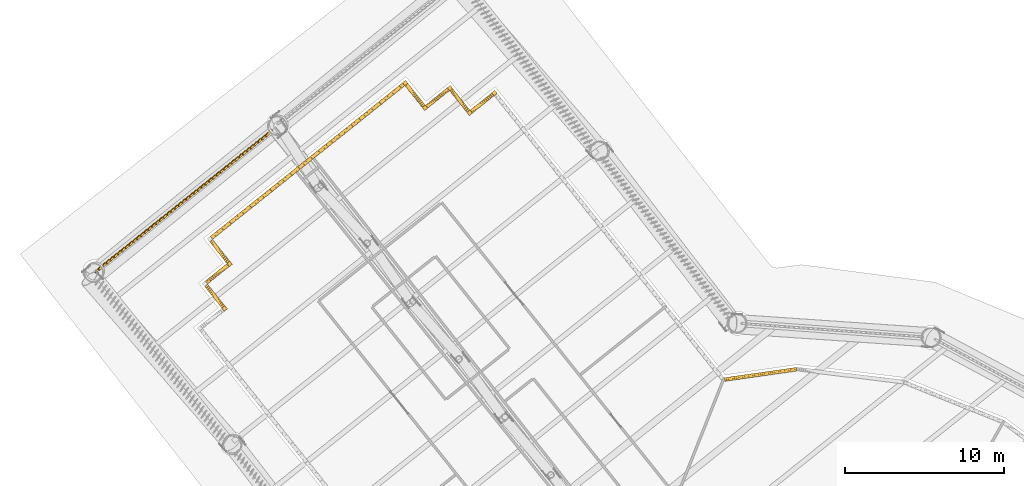
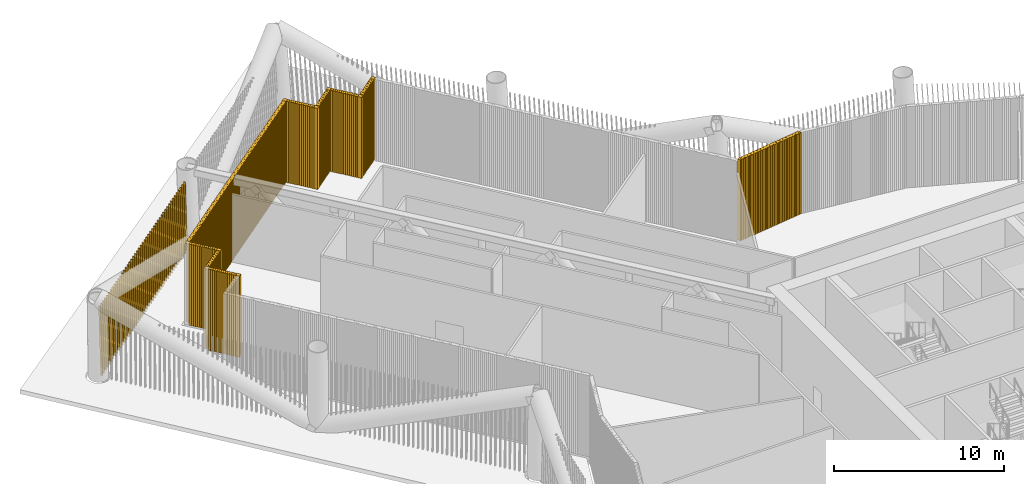
# One storey, part 45 of 48: 17 shading devices.
"""IFC4 building model written with IfcOpenShell, lengths in metres."""

from ifc_helpers import new_model, si_unit, direction, frame, frame_2d, origin, origin_2d, place, context, subcontext, project, spatial, rectangle, composite_profile, extrude, material, type_object, element, save


model = new_model("IFC4")

# Units and contexts
model_context = context("Model", 3, precision=1e-05, world=origin(), true_north=direction((0.0, 1.0)))
body_context = subcontext(model_context, "Body", "Model", "MODEL_VIEW")
ifc_project = project(units=[si_unit("LENGTHUNIT", "METRE"), si_unit("AREAUNIT", "SQUARE_METRE"), si_unit("VOLUMEUNIT", "CUBIC_METRE"), si_unit("PLANEANGLEUNIT", "RADIAN"), si_unit("MASSUNIT", "GRAM", prefix="KILO")], contexts=[model_context])

# Site, building, storey
site_placement = place(None, origin())
site = spatial("IfcSite", under=ifc_project, at=site_placement, CompositionType="ELEMENT")
building_placement = place(site_placement, origin())
building = spatial("IfcBuilding", under=site, at=building_placement, Name="Tarsis Ring Headquarters", CompositionType="ELEMENT")
storey_placement = place(building_placement, frame((0.0, 0.0, 34.0)))
storey = spatial("IfcBuildingStorey", under=building, at=storey_placement, Name="L06", CompositionType="ELEMENT", Elevation=34.0)

# Shading devices
ifc_material_1 = material(Name="Aluminium louvre", Category="aluminium")
shading_device_type_1 = type_object("IfcShadingDeviceType", Name="Plant louvre fin", PredefinedType="USERDEFINED", material=ifc_material_1)
shading_device_1_placement = place(storey_placement, frame((-0.287353515625, 25.8701171875, 0.0), z_axis=(0.0, 0.0, 1.0), x_axis=(-0.990007401925, -0.140900919953, 0.0)))
element("IfcShadingDevice", 1, at=shading_device_1_placement, inside=storey, type_object=shading_device_type_1, Name="Louvre L06-30", ObjectType="Louvre", PredefinedType="USERDEFINED", context=body_context, shape_type="SweptSolid", body=[
    extrude(composite_profile([rectangle(XDim=0.1201171875, YDim=0.239990234375, at=frame_2d((0.076171875, 0.0), x_axis=(0.990268068742, 0.13917310096))), rectangle(XDim=0.1201171875, YDim=0.239990234375, at=frame_2d((0.203857421875, 0.0), x_axis=(0.990268068742, 0.13917310096))), rectangle(XDim=0.1201171875, YDim=0.239990234375, at=frame_2d((0.331298828125, 0.0), x_axis=(0.990268068742, 0.13917310096))), rectangle(XDim=0.1201171875, YDim=0.239990234375, at=frame_2d((0.458984375, 0.0), x_axis=(0.990268068742, 0.13917310096))), rectangle(XDim=0.1201171875, YDim=0.239990234375, at=frame_2d((0.58642578125, 0.0), x_axis=(0.990268068742, 0.13917310096))), rectangle(XDim=0.1201171875, YDim=0.239990234375, at=frame_2d((0.714111328125, 0.0), x_axis=(0.990268068742, 0.13917310096))), rectangle(XDim=0.1201171875, YDim=0.239990234375, at=frame_2d((0.841796875, 0.0), x_axis=(0.990268068742, 0.13917310096))), rectangle(XDim=0.1201171875, YDim=0.239990234375, at=frame_2d((0.96923828125, 0.0), x_axis=(0.990268068742, 0.13917310096))), rectangle(XDim=0.1201171875, YDim=0.239990234375, at=frame_2d((1.096923828125, 0.0), x_axis=(0.990268068742, 0.13917310096))), rectangle(XDim=0.1201171875, YDim=0.239990234375, at=frame_2d((1.224365234375, 0.0), x_axis=(0.990268068742, 0.13917310096))), rectangle(XDim=0.1201171875, YDim=0.239990234375, at=frame_2d((1.35205078125, 0.0), x_axis=(0.990268068742, 0.13917310096))), rectangle(XDim=0.1201171875, YDim=0.239990234375, at=frame_2d((1.479736328125, 0.0), x_axis=(0.990268068742, 0.13917310096))), rectangle(XDim=0.1201171875, YDim=0.239990234375, at=frame_2d((1.607177734375, 0.0), x_axis=(0.990268068742, 0.13917310096))), rectangle(XDim=0.1201171875, YDim=0.239990234375, at=frame_2d((1.73486328125, 0.0), x_axis=(0.990268068742, 0.13917310096))), rectangle(XDim=0.1201171875, YDim=0.239990234375, at=frame_2d((1.8623046875, 0.0), x_axis=(0.990268068742, 0.13917310096))), rectangle(XDim=0.1201171875, YDim=0.239990234375, at=frame_2d((1.989990234375, 0.0), x_axis=(0.990268068742, 0.13917310096))), rectangle(XDim=0.1201171875, YDim=0.239990234375, at=frame_2d((2.11767578125, 0.0), x_axis=(0.990268068742, 0.13917310096))), rectangle(XDim=0.1201171875, YDim=0.239990234375, at=frame_2d((2.2451171875, 0.0), x_axis=(0.990268068742, 0.13917310096))), rectangle(XDim=0.1201171875, YDim=0.239990234375, at=frame_2d((2.372802734375, 0.0), x_axis=(0.990268068742, 0.13917310096))), rectangle(XDim=0.1201171875, YDim=0.239990234375, at=frame_2d((2.500244140625, 0.0), x_axis=(0.990268068742, 0.13917310096))), rectangle(XDim=0.1201171875, YDim=0.239990234375, at=frame_2d((2.6279296875, 0.0), x_axis=(0.990268068742, 0.13917310096))), rectangle(XDim=0.1201171875, YDim=0.239990234375, at=frame_2d((2.755615234375, 0.0), x_axis=(0.990268068742, 0.13917310096))), rectangle(XDim=0.1201171875, YDim=0.239990234375, at=frame_2d((2.883056640625, 0.0), x_axis=(0.990268068742, 0.13917310096))), rectangle(XDim=0.1201171875, YDim=0.239990234375, at=frame_2d((3.0107421875, 0.0), x_axis=(0.990268068742, 0.13917310096))), rectangle(XDim=0.1201171875, YDim=0.239990234375, at=frame_2d((3.13818359375, 0.0), x_axis=(0.990268068742, 0.13917310096))), rectangle(XDim=0.1201171875, YDim=0.239990234375, at=frame_2d((3.265869140625, 0.0), x_axis=(0.990268068742, 0.13917310096))), rectangle(XDim=0.1201171875, YDim=0.239990234375, at=frame_2d((3.3935546875, 0.0), x_axis=(0.990268068742, 0.13917310096))), rectangle(XDim=0.1201171875, YDim=0.239990234375, at=frame_2d((3.52099609375, 0.0), x_axis=(0.990268068742, 0.13917310096))), rectangle(XDim=0.1201171875, YDim=0.239990234375, at=frame_2d((3.648681640625, 0.0), x_axis=(0.990268068742, 0.13917310096))), rectangle(XDim=0.1201171875, YDim=0.239990234375, at=frame_2d((3.776123046875, 0.0), x_axis=(0.990268068742, 0.13917310096))), rectangle(XDim=0.1201171875, YDim=0.239990234375, at=frame_2d((3.90380859375, 0.0), x_axis=(0.990268068742, 0.13917310096))), rectangle(XDim=0.1201171875, YDim=0.239990234375, at=frame_2d((4.031494140625, 0.0), x_axis=(0.990268068742, 0.13917310096))), rectangle(XDim=0.1201171875, YDim=0.239990234375, at=frame_2d((4.158935546875, 0.0), x_axis=(0.990268068742, 0.13917310096))), rectangle(XDim=0.1201171875, YDim=0.239990234375, at=frame_2d((4.28662109375, 0.0), x_axis=(0.990268068742, 0.13917310096))), rectangle(XDim=0.1201171875, YDim=0.239990234375, at=frame_2d((4.4140625, 0.0), x_axis=(0.990268068742, 0.13917310096))), rectangle(XDim=0.1201171875, YDim=0.239990234375, at=frame_2d((4.541748046875, 0.0), x_axis=(0.990268068742, 0.13917310096)))]), origin(), (0.0, 0.0, 1.0), 5.840087890625),
])
for number, where, z_axis, x_axis, name in (
    (2, (-19.4375, 43.182861328125, 0.0), (0.0, 0.0, 1.0), (-0.781529017857, -0.623883928571, 0.0), "Louvre L06-32"),
    (3, (-20.98095703125, 42.11083984375, 0.0), (0.0, 0.0, 1.0), (-0.623883928571, 0.781529017857, 0.0), "Louvre L06-33"),
    (4, (-22.248291015625, 43.498046875, 0.0), (0.0, 0.0, 1.0), (-0.781529017857, -0.623883928571, 0.0), "Louvre L06-34"),
    (5, (-23.791748046875, 42.426025390625, 0.0), (0.0, 0.0, 1.0), (-0.623883928571, 0.781529017857, 0.0), "Louvre L06-35"),
):
    element("IfcShadingDevice", number, at=place(storey_placement, frame(where, z_axis=z_axis, x_axis=x_axis)), inside=storey, type_object=shading_device_type_1, Name=name, ObjectType="Louvre", PredefinedType="USERDEFINED", context=body_context, shape_type="SweptSolid", body=[
        extrude(composite_profile([rectangle(XDim=0.1201171875, YDim=0.239990234375, at=frame_2d((0.078125, 0.0), x_axis=(0.987688340595, 0.15643446504))), rectangle(XDim=0.1201171875, YDim=0.239990234375, at=frame_2d((0.2109375, 0.0), x_axis=(0.987688340595, 0.15643446504))), rectangle(XDim=0.1201171875, YDim=0.239990234375, at=frame_2d((0.34375, 0.0), x_axis=(0.987688340595, 0.15643446504))), rectangle(XDim=0.1201171875, YDim=0.239990234375, at=frame_2d((0.4765625, 0.0), x_axis=(0.987688340595, 0.15643446504))), rectangle(XDim=0.1201171875, YDim=0.239990234375, at=frame_2d((0.609375, 0.0), x_axis=(0.987688340595, 0.15643446504))), rectangle(XDim=0.1201171875, YDim=0.239990234375, at=frame_2d((0.7421875, 0.0), x_axis=(0.987688340595, 0.15643446504))), rectangle(XDim=0.1201171875, YDim=0.239990234375, at=frame_2d((0.875, 0.0), x_axis=(0.987688340595, 0.15643446504))), rectangle(XDim=0.1201171875, YDim=0.239990234375, at=frame_2d((1.0078125, 0.0), x_axis=(0.987688340595, 0.15643446504))), rectangle(XDim=0.1201171875, YDim=0.239990234375, at=frame_2d((1.140625, 0.0), x_axis=(0.987688340595, 0.15643446504))), rectangle(XDim=0.1201171875, YDim=0.239990234375, at=frame_2d((1.2734375, 0.0), x_axis=(0.987688340595, 0.15643446504))), rectangle(XDim=0.1201171875, YDim=0.239990234375, at=frame_2d((1.40625, 0.0), x_axis=(0.987688340595, 0.15643446504))), rectangle(XDim=0.1201171875, YDim=0.239990234375, at=frame_2d((1.5390625, 0.0), x_axis=(0.987688340595, 0.15643446504))), rectangle(XDim=0.1201171875, YDim=0.239990234375, at=frame_2d((1.671875, 0.0), x_axis=(0.987688340595, 0.15643446504)))]), origin(), (0.0, 0.0, 1.0), 5.840087890625),
    ])
shading_device_2_placement = place(storey_placement, frame((-25.059326171875, 43.8134765625, 0.0), z_axis=(0.0, 0.0, 1.0), x_axis=(-0.781517767137, -0.623881678427, 0.0)))
element("IfcShadingDevice", 6, at=shading_device_2_placement, inside=storey, type_object=shading_device_type_1, Name="Louvre L06-36", ObjectType="Louvre", PredefinedType="USERDEFINED", context=body_context, shape_type="SweptSolid", body=[
    extrude(composite_profile([rectangle(XDim=0.1201171875, YDim=0.239990234375, at=frame_2d((0.076171875, 0.0), x_axis=(0.990268068742, 0.13917310096))), rectangle(XDim=0.1201171875, YDim=0.239990234375, at=frame_2d((0.201904296875, 0.0), x_axis=(0.990268068742, 0.13917310096))), rectangle(XDim=0.1201171875, YDim=0.239990234375, at=frame_2d((0.327880859375, 0.0), x_axis=(0.990268068742, 0.13917310096))), rectangle(XDim=0.1201171875, YDim=0.239990234375, at=frame_2d((0.45361328125, 0.0), x_axis=(0.990268068742, 0.13917310096))), rectangle(XDim=0.1201171875, YDim=0.239990234375, at=frame_2d((0.579345703125, 0.0), x_axis=(0.990268068742, 0.13917310096))), rectangle(XDim=0.1201171875, YDim=0.239990234375, at=frame_2d((0.705078125, 0.0), x_axis=(0.990268068742, 0.13917310096))), rectangle(XDim=0.1201171875, YDim=0.239990234375, at=frame_2d((0.8310546875, 0.0), x_axis=(0.990268068742, 0.13917310096))), rectangle(XDim=0.1201171875, YDim=0.239990234375, at=frame_2d((0.956787109375, 0.0), x_axis=(0.990268068742, 0.13917310096))), rectangle(XDim=0.1201171875, YDim=0.239990234375, at=frame_2d((1.08251953125, 0.0), x_axis=(0.990268068742, 0.13917310096))), rectangle(XDim=0.1201171875, YDim=0.239990234375, at=frame_2d((1.208251953125, 0.0), x_axis=(0.990268068742, 0.13917310096))), rectangle(XDim=0.1201171875, YDim=0.239990234375, at=frame_2d((1.334228515625, 0.0), x_axis=(0.990268068742, 0.13917310096))), rectangle(XDim=0.1201171875, YDim=0.239990234375, at=frame_2d((1.4599609375, 0.0), x_axis=(0.990268068742, 0.13917310096))), rectangle(XDim=0.1201171875, YDim=0.239990234375, at=frame_2d((1.585693359375, 0.0), x_axis=(0.990268068742, 0.13917310096))), rectangle(XDim=0.1201171875, YDim=0.239990234375, at=frame_2d((1.711669921875, 0.0), x_axis=(0.990268068742, 0.13917310096))), rectangle(XDim=0.1201171875, YDim=0.239990234375, at=frame_2d((1.83740234375, 0.0), x_axis=(0.990268068742, 0.13917310096))), rectangle(XDim=0.1201171875, YDim=0.239990234375, at=frame_2d((1.963134765625, 0.0), x_axis=(0.990268068742, 0.13917310096))), rectangle(XDim=0.1201171875, YDim=0.239990234375, at=frame_2d((2.0888671875, 0.0), x_axis=(0.990268068742, 0.13917310096))), rectangle(XDim=0.1201171875, YDim=0.239990234375, at=frame_2d((2.21484375, 0.0), x_axis=(0.990268068742, 0.13917310096))), rectangle(XDim=0.1201171875, YDim=0.239990234375, at=frame_2d((2.340576171875, 0.0), x_axis=(0.990268068742, 0.13917310096))), rectangle(XDim=0.1201171875, YDim=0.239990234375, at=frame_2d((2.46630859375, 0.0), x_axis=(0.990268068742, 0.13917310096))), rectangle(XDim=0.1201171875, YDim=0.239990234375, at=frame_2d((2.592041015625, 0.0), x_axis=(0.990268068742, 0.13917310096))), rectangle(XDim=0.1201171875, YDim=0.239990234375, at=frame_2d((2.718017578125, 0.0), x_axis=(0.990268068742, 0.13917310096))), rectangle(XDim=0.1201171875, YDim=0.239990234375, at=frame_2d((2.84375, 0.0), x_axis=(0.990268068742, 0.13917310096))), rectangle(XDim=0.1201171875, YDim=0.239990234375, at=frame_2d((2.969482421875, 0.0), x_axis=(0.990268068742, 0.13917310096))), rectangle(XDim=0.1201171875, YDim=0.239990234375, at=frame_2d((3.09521484375, 0.0), x_axis=(0.990268068742, 0.13917310096))), rectangle(XDim=0.1201171875, YDim=0.239990234375, at=frame_2d((3.22119140625, 0.0), x_axis=(0.990268068742, 0.13917310096))), rectangle(XDim=0.1201171875, YDim=0.239990234375, at=frame_2d((3.346923828125, 0.0), x_axis=(0.990268068742, 0.13917310096))), rectangle(XDim=0.1201171875, YDim=0.239990234375, at=frame_2d((3.47265625, 0.0), x_axis=(0.990268068742, 0.13917310096))), rectangle(XDim=0.1201171875, YDim=0.239990234375, at=frame_2d((3.5986328125, 0.0), x_axis=(0.990268068742, 0.13917310096))), rectangle(XDim=0.1201171875, YDim=0.239990234375, at=frame_2d((3.724365234375, 0.0), x_axis=(0.990268068742, 0.13917310096))), rectangle(XDim=0.1201171875, YDim=0.239990234375, at=frame_2d((3.85009765625, 0.0), x_axis=(0.990268068742, 0.13917310096))), rectangle(XDim=0.1201171875, YDim=0.239990234375, at=frame_2d((3.975830078125, 0.0), x_axis=(0.990268068742, 0.13917310096))), rectangle(XDim=0.1201171875, YDim=0.239990234375, at=frame_2d((4.101806640625, 0.0), x_axis=(0.990268068742, 0.13917310096))), rectangle(XDim=0.1201171875, YDim=0.239990234375, at=frame_2d((4.2275390625, 0.0), x_axis=(0.990268068742, 0.13917310096))), rectangle(XDim=0.1201171875, YDim=0.239990234375, at=frame_2d((4.353271484375, 0.0), x_axis=(0.990268068742, 0.13917310096))), rectangle(XDim=0.1201171875, YDim=0.239990234375, at=frame_2d((4.47900390625, 0.0), x_axis=(0.990268068742, 0.13917310096))), rectangle(XDim=0.1201171875, YDim=0.239990234375, at=frame_2d((4.60498046875, 0.0), x_axis=(0.990268068742, 0.13917310096))), rectangle(XDim=0.1201171875, YDim=0.239990234375, at=frame_2d((4.730712890625, 0.0), x_axis=(0.990268068742, 0.13917310096))), rectangle(XDim=0.1201171875, YDim=0.239990234375, at=frame_2d((4.8564453125, 0.0), x_axis=(0.990268068742, 0.13917310096))), rectangle(XDim=0.1201171875, YDim=0.239990234375, at=frame_2d((4.982421875, 0.0), x_axis=(0.990268068742, 0.13917310096))), rectangle(XDim=0.1201171875, YDim=0.239990234375, at=frame_2d((5.108154296875, 0.0), x_axis=(0.990268068742, 0.13917310096))), rectangle(XDim=0.1201171875, YDim=0.239990234375, at=frame_2d((5.23388671875, 0.0), x_axis=(0.990268068742, 0.13917310096))), rectangle(XDim=0.1201171875, YDim=0.239990234375, at=frame_2d((5.359619140625, 0.0), x_axis=(0.990268068742, 0.13917310096))), rectangle(XDim=0.1201171875, YDim=0.239990234375, at=frame_2d((5.485595703125, 0.0), x_axis=(0.990268068742, 0.13917310096))), rectangle(XDim=0.1201171875, YDim=0.239990234375, at=frame_2d((5.611328125, 0.0), x_axis=(0.990268068742, 0.13917310096))), rectangle(XDim=0.1201171875, YDim=0.239990234375, at=frame_2d((5.737060546875, 0.0), x_axis=(0.990268068742, 0.13917310096))), rectangle(XDim=0.1201171875, YDim=0.239990234375, at=frame_2d((5.86279296875, 0.0), x_axis=(0.990268068742, 0.13917310096))), rectangle(XDim=0.1201171875, YDim=0.239990234375, at=frame_2d((5.98876953125, 0.0), x_axis=(0.990268068742, 0.13917310096))), rectangle(XDim=0.1201171875, YDim=0.239990234375, at=frame_2d((6.114501953125, 0.0), x_axis=(0.990268068742, 0.13917310096))), rectangle(XDim=0.1201171875, YDim=0.239990234375, at=frame_2d((6.240234375, 0.0), x_axis=(0.990268068742, 0.13917310096))), rectangle(XDim=0.1201171875, YDim=0.239990234375, at=frame_2d((6.3662109375, 0.0), x_axis=(0.990268068742, 0.13917310096))), rectangle(XDim=0.1201171875, YDim=0.239990234375, at=frame_2d((6.491943359375, 0.0), x_axis=(0.990268068742, 0.13917310096))), rectangle(XDim=0.1201171875, YDim=0.239990234375, at=frame_2d((6.61767578125, 0.0), x_axis=(0.990268068742, 0.13917310096))), rectangle(XDim=0.1201171875, YDim=0.239990234375, at=frame_2d((6.743408203125, 0.0), x_axis=(0.990268068742, 0.13917310096))), rectangle(XDim=0.1201171875, YDim=0.239990234375, at=frame_2d((6.869384765625, 0.0), x_axis=(0.990268068742, 0.13917310096))), rectangle(XDim=0.1201171875, YDim=0.239990234375, at=frame_2d((6.9951171875, 0.0), x_axis=(0.990268068742, 0.13917310096))), rectangle(XDim=0.1201171875, YDim=0.239990234375, at=frame_2d((7.120849609375, 0.0), x_axis=(0.990268068742, 0.13917310096))), rectangle(XDim=0.1201171875, YDim=0.239990234375, at=frame_2d((7.24658203125, 0.0), x_axis=(0.990268068742, 0.13917310096))), rectangle(XDim=0.1201171875, YDim=0.239990234375, at=frame_2d((7.37255859375, 0.0), x_axis=(0.990268068742, 0.13917310096))), rectangle(XDim=0.1201171875, YDim=0.239990234375, at=frame_2d((7.498291015625, 0.0), x_axis=(0.990268068742, 0.13917310096))), rectangle(XDim=0.1201171875, YDim=0.239990234375, at=frame_2d((7.6240234375, 0.0), x_axis=(0.990268068742, 0.13917310096))), rectangle(XDim=0.1201171875, YDim=0.239990234375, at=frame_2d((7.75, 0.0), x_axis=(0.990268068742, 0.13917310096))), rectangle(XDim=0.1201171875, YDim=0.239990234375, at=frame_2d((7.875732421875, 0.0), x_axis=(0.990268068742, 0.13917310096))), rectangle(XDim=0.1201171875, YDim=0.239990234375, at=frame_2d((8.00146484375, 0.0), x_axis=(0.990268068742, 0.13917310096))), rectangle(XDim=0.1201171875, YDim=0.239990234375, at=frame_2d((8.127197265625, 0.0), x_axis=(0.990268068742, 0.13917310096))), rectangle(XDim=0.1201171875, YDim=0.239990234375, at=frame_2d((8.253173828125, 0.0), x_axis=(0.990268068742, 0.13917310096))), rectangle(XDim=0.1201171875, YDim=0.239990234375, at=frame_2d((8.37890625, 0.0), x_axis=(0.990268068742, 0.13917310096))), rectangle(XDim=0.1201171875, YDim=0.239990234375, at=frame_2d((8.504638671875, 0.0), x_axis=(0.990268068742, 0.13917310096))), rectangle(XDim=0.1201171875, YDim=0.239990234375, at=frame_2d((8.63037109375, 0.0), x_axis=(0.990268068742, 0.13917310096))), rectangle(XDim=0.1201171875, YDim=0.239990234375, at=frame_2d((8.75634765625, 0.0), x_axis=(0.990268068742, 0.13917310096))), rectangle(XDim=0.1201171875, YDim=0.239990234375, at=frame_2d((8.882080078125, 0.0), x_axis=(0.990268068742, 0.13917310096))), rectangle(XDim=0.1201171875, YDim=0.239990234375, at=frame_2d((9.0078125, 0.0), x_axis=(0.990268068742, 0.13917310096))), rectangle(XDim=0.1201171875, YDim=0.239990234375, at=frame_2d((9.133544921875, 0.0), x_axis=(0.990268068742, 0.13917310096))), rectangle(XDim=0.1201171875, YDim=0.239990234375, at=frame_2d((9.259521484375, 0.0), x_axis=(0.990268068742, 0.13917310096))), rectangle(XDim=0.1201171875, YDim=0.239990234375, at=frame_2d((9.38525390625, 0.0), x_axis=(0.990268068742, 0.13917310096))), rectangle(XDim=0.1201171875, YDim=0.239990234375, at=frame_2d((9.510986328125, 0.0), x_axis=(0.990268068742, 0.13917310096))), rectangle(XDim=0.1201171875, YDim=0.239990234375, at=frame_2d((9.636962890625, 0.0), x_axis=(0.990268068742, 0.13917310096))), rectangle(XDim=0.1201171875, YDim=0.239990234375, at=frame_2d((9.7626953125, 0.0), x_axis=(0.990268068742, 0.13917310096))), rectangle(XDim=0.1201171875, YDim=0.239990234375, at=frame_2d((9.888427734375, 0.0), x_axis=(0.990268068742, 0.13917310096))), rectangle(XDim=0.1201171875, YDim=0.239990234375, at=frame_2d((10.01416015625, 0.0), x_axis=(0.990268068742, 0.13917310096))), rectangle(XDim=0.1201171875, YDim=0.239990234375, at=frame_2d((10.14013671875, 0.0), x_axis=(0.990268068742, 0.13917310096))), rectangle(XDim=0.1201171875, YDim=0.239990234375, at=frame_2d((10.265869140625, 0.0), x_axis=(0.990268068742, 0.13917310096))), rectangle(XDim=0.1201171875, YDim=0.239990234375, at=frame_2d((10.3916015625, 0.0), x_axis=(0.990268068742, 0.13917310096))), rectangle(XDim=0.1201171875, YDim=0.239990234375, at=frame_2d((10.517333984375, 0.0), x_axis=(0.990268068742, 0.13917310096))), rectangle(XDim=0.1201171875, YDim=0.239990234375, at=frame_2d((10.643310546875, 0.0), x_axis=(0.990268068742, 0.13917310096))), rectangle(XDim=0.1201171875, YDim=0.239990234375, at=frame_2d((10.76904296875, 0.0), x_axis=(0.990268068742, 0.13917310096))), rectangle(XDim=0.1201171875, YDim=0.239990234375, at=frame_2d((10.894775390625, 0.0), x_axis=(0.990268068742, 0.13917310096))), rectangle(XDim=0.1201171875, YDim=0.239990234375, at=frame_2d((11.020751953125, 0.0), x_axis=(0.990268068742, 0.13917310096))), rectangle(XDim=0.1201171875, YDim=0.239990234375, at=frame_2d((11.146484375, 0.0), x_axis=(0.990268068742, 0.13917310096))), rectangle(XDim=0.1201171875, YDim=0.239990234375, at=frame_2d((11.272216796875, 0.0), x_axis=(0.990268068742, 0.13917310096))), rectangle(XDim=0.1201171875, YDim=0.239990234375, at=frame_2d((11.39794921875, 0.0), x_axis=(0.990268068742, 0.13917310096))), rectangle(XDim=0.1201171875, YDim=0.239990234375, at=frame_2d((11.52392578125, 0.0), x_axis=(0.990268068742, 0.13917310096))), rectangle(XDim=0.1201171875, YDim=0.239990234375, at=frame_2d((11.649658203125, 0.0), x_axis=(0.990268068742, 0.13917310096))), rectangle(XDim=0.1201171875, YDim=0.239990234375, at=frame_2d((11.775390625, 0.0), x_axis=(0.990268068742, 0.13917310096))), rectangle(XDim=0.1201171875, YDim=0.239990234375, at=frame_2d((11.901123046875, 0.0), x_axis=(0.990268068742, 0.13917310096))), rectangle(XDim=0.1201171875, YDim=0.239990234375, at=frame_2d((12.027099609375, 0.0), x_axis=(0.990268068742, 0.13917310096))), rectangle(XDim=0.1201171875, YDim=0.239990234375, at=frame_2d((12.15283203125, 0.0), x_axis=(0.990268068742, 0.13917310096))), rectangle(XDim=0.1201171875, YDim=0.239990234375, at=frame_2d((12.278564453125, 0.0), x_axis=(0.990268068742, 0.13917310096))), rectangle(XDim=0.1201171875, YDim=0.239990234375, at=frame_2d((12.404541015625, 0.0), x_axis=(0.990268068742, 0.13917310096))), rectangle(XDim=0.1201171875, YDim=0.239990234375, at=frame_2d((12.5302734375, 0.0), x_axis=(0.990268068742, 0.13917310096))), rectangle(XDim=0.1201171875, YDim=0.239990234375, at=frame_2d((12.656005859375, 0.0), x_axis=(0.990268068742, 0.13917310096))), rectangle(XDim=0.1201171875, YDim=0.239990234375, at=frame_2d((12.78173828125, 0.0), x_axis=(0.990268068742, 0.13917310096))), rectangle(XDim=0.1201171875, YDim=0.239990234375, at=frame_2d((12.90771484375, 0.0), x_axis=(0.990268068742, 0.13917310096))), rectangle(XDim=0.1201171875, YDim=0.239990234375, at=frame_2d((13.033447265625, 0.0), x_axis=(0.990268068742, 0.13917310096))), rectangle(XDim=0.1201171875, YDim=0.239990234375, at=frame_2d((13.1591796875, 0.0), x_axis=(0.990268068742, 0.13917310096))), rectangle(XDim=0.1201171875, YDim=0.239990234375, at=frame_2d((13.284912109375, 0.0), x_axis=(0.990268068742, 0.13917310096))), rectangle(XDim=0.1201171875, YDim=0.239990234375, at=frame_2d((13.410888671875, 0.0), x_axis=(0.990268068742, 0.13917310096))), rectangle(XDim=0.1201171875, YDim=0.239990234375, at=frame_2d((13.53662109375, 0.0), x_axis=(0.990268068742, 0.13917310096))), rectangle(XDim=0.1201171875, YDim=0.239990234375, at=frame_2d((13.662353515625, 0.0), x_axis=(0.990268068742, 0.13917310096))), rectangle(XDim=0.1201171875, YDim=0.239990234375, at=frame_2d((13.7880859375, 0.0), x_axis=(0.990268068742, 0.13917310096))), rectangle(XDim=0.1201171875, YDim=0.239990234375, at=frame_2d((13.9140625, 0.0), x_axis=(0.990268068742, 0.13917310096))), rectangle(XDim=0.1201171875, YDim=0.239990234375, at=frame_2d((14.039794921875, 0.0), x_axis=(0.990268068742, 0.13917310096))), rectangle(XDim=0.1201171875, YDim=0.239990234375, at=frame_2d((14.16552734375, 0.0), x_axis=(0.990268068742, 0.13917310096))), rectangle(XDim=0.1201171875, YDim=0.239990234375, at=frame_2d((14.29150390625, 0.0), x_axis=(0.990268068742, 0.13917310096))), rectangle(XDim=0.1201171875, YDim=0.239990234375, at=frame_2d((14.417236328125, 0.0), x_axis=(0.990268068742, 0.13917310096))), rectangle(XDim=0.1201171875, YDim=0.239990234375, at=frame_2d((14.54296875, 0.0), x_axis=(0.990268068742, 0.13917310096))), rectangle(XDim=0.1201171875, YDim=0.239990234375, at=frame_2d((14.668701171875, 0.0), x_axis=(0.990268068742, 0.13917310096))), rectangle(XDim=0.1201171875, YDim=0.239990234375, at=frame_2d((14.794677734375, 0.0), x_axis=(0.990268068742, 0.13917310096))), rectangle(XDim=0.1201171875, YDim=0.239990234375, at=frame_2d((14.92041015625, 0.0), x_axis=(0.990268068742, 0.13917310096))), rectangle(XDim=0.1201171875, YDim=0.239990234375, at=frame_2d((15.046142578125, 0.0), x_axis=(0.990268068742, 0.13917310096))), rectangle(XDim=0.1201171875, YDim=0.239990234375, at=frame_2d((15.171875, 0.0), x_axis=(0.990268068742, 0.13917310096))), rectangle(XDim=0.1201171875, YDim=0.239990234375, at=frame_2d((15.2978515625, 0.0), x_axis=(0.990268068742, 0.13917310096))), rectangle(XDim=0.1201171875, YDim=0.239990234375, at=frame_2d((15.423583984375, 0.0), x_axis=(0.990268068742, 0.13917310096)))]), origin(), (0.0, 0.0, 1.0), 5.840087890625),
])
for number, where, z_axis, x_axis, name in (
    (7, (-37.1923828125, 33.967529296875, 0.0), (0.0, 0.0, 1.0), (0.623883928571, -0.781529017857, 0.0), "Louvre L06-37"),
    (8, (-36.120361328125, 32.42431640625, 0.0), (0.0, 0.0, 1.0), (-0.781529017857, -0.623883928571, 0.0), "Louvre L06-38"),
    (9, (-37.5078125, 31.15673828125, 0.0), (0.0, 0.0, 1.0), (0.623883928571, -0.781529017857, 0.0), "Louvre L06-39"),
):
    element("IfcShadingDevice", number, at=place(storey_placement, frame(where, z_axis=z_axis, x_axis=x_axis)), inside=storey, type_object=shading_device_type_1, Name=name, ObjectType="Louvre", PredefinedType="USERDEFINED", context=body_context, shape_type="SweptSolid", body=[
        extrude(composite_profile([rectangle(XDim=0.1201171875, YDim=0.239990234375, at=frame_2d((0.078125, 0.0), x_axis=(0.987688340595, 0.15643446504))), rectangle(XDim=0.1201171875, YDim=0.239990234375, at=frame_2d((0.2109375, 0.0), x_axis=(0.987688340595, 0.15643446504))), rectangle(XDim=0.1201171875, YDim=0.239990234375, at=frame_2d((0.34375, 0.0), x_axis=(0.987688340595, 0.15643446504))), rectangle(XDim=0.1201171875, YDim=0.239990234375, at=frame_2d((0.4765625, 0.0), x_axis=(0.987688340595, 0.15643446504))), rectangle(XDim=0.1201171875, YDim=0.239990234375, at=frame_2d((0.609375, 0.0), x_axis=(0.987688340595, 0.15643446504))), rectangle(XDim=0.1201171875, YDim=0.239990234375, at=frame_2d((0.7421875, 0.0), x_axis=(0.987688340595, 0.15643446504))), rectangle(XDim=0.1201171875, YDim=0.239990234375, at=frame_2d((0.875, 0.0), x_axis=(0.987688340595, 0.15643446504))), rectangle(XDim=0.1201171875, YDim=0.239990234375, at=frame_2d((1.0078125, 0.0), x_axis=(0.987688340595, 0.15643446504))), rectangle(XDim=0.1201171875, YDim=0.239990234375, at=frame_2d((1.140625, 0.0), x_axis=(0.987688340595, 0.15643446504))), rectangle(XDim=0.1201171875, YDim=0.239990234375, at=frame_2d((1.2734375, 0.0), x_axis=(0.987688340595, 0.15643446504))), rectangle(XDim=0.1201171875, YDim=0.239990234375, at=frame_2d((1.40625, 0.0), x_axis=(0.987688340595, 0.15643446504))), rectangle(XDim=0.1201171875, YDim=0.239990234375, at=frame_2d((1.5390625, 0.0), x_axis=(0.987688340595, 0.15643446504))), rectangle(XDim=0.1201171875, YDim=0.239990234375, at=frame_2d((1.671875, 0.0), x_axis=(0.987688340595, 0.15643446504)))]), origin(), (0.0, 0.0, 1.0), 5.840087890625),
    ])
ifc_material_2 = material(Name="Terracotta baguette", Category="masonry")
shading_device_type_2 = type_object("IfcShadingDeviceType", Name="Terracotta baguette screen", PredefinedType="USERDEFINED", material=ifc_material_2)
shading_device_3_placement = place(storey_placement, frame((-33.33154296875, 40.952392578125, -0.300048828125), z_axis=(0.0, 0.0, 1.0), x_axis=(-0.781516470297, -0.623872200403, 0.0)))
element("IfcShadingDevice", 10, at=shading_device_3_placement, inside=storey, type_object=shading_device_type_2, Name="Baguette screen L06-18", ObjectType="Terracotta baguette screen", PredefinedType="USERDEFINED", context=body_context, shape_type="SweptSolid", body=[
    extrude(composite_profile([rectangle(XDim=0.06005859375, YDim=0.1201171875, at=frame_2d((0.030029296875, 0.0))), rectangle(XDim=0.06005859375, YDim=0.1201171875, at=frame_2d((0.33544921875, 0.0))), rectangle(XDim=0.06005859375, YDim=0.1201171875, at=frame_2d((0.640625, 0.0))), rectangle(XDim=0.06005859375, YDim=0.1201171875, at=frame_2d((0.946044921875, 0.0))), rectangle(XDim=0.06005859375, YDim=0.1201171875, at=frame_2d((1.25146484375, 0.0))), rectangle(XDim=0.06005859375, YDim=0.1201171875, at=frame_2d((1.556640625, 0.0))), rectangle(XDim=0.06005859375, YDim=0.1201171875, at=frame_2d((1.862060546875, 0.0))), rectangle(XDim=0.06005859375, YDim=0.1201171875, at=frame_2d((2.16748046875, 0.0))), rectangle(XDim=0.06005859375, YDim=0.1201171875, at=frame_2d((2.47265625, 0.0))), rectangle(XDim=0.06005859375, YDim=0.1201171875, at=frame_2d((2.778076171875, 0.0))), rectangle(XDim=0.06005859375, YDim=0.1201171875, at=frame_2d((3.08349609375, 0.0))), rectangle(XDim=0.06005859375, YDim=0.1201171875, at=frame_2d((3.388671875, 0.0))), rectangle(XDim=0.06005859375, YDim=0.1201171875, at=frame_2d((3.694091796875, 0.0))), rectangle(XDim=0.06005859375, YDim=0.1201171875, at=frame_2d((3.99951171875, 0.0))), rectangle(XDim=0.06005859375, YDim=0.1201171875, at=frame_2d((4.3046875, 0.0))), rectangle(XDim=0.06005859375, YDim=0.1201171875, at=frame_2d((4.610107421875, 0.0))), rectangle(XDim=0.06005859375, YDim=0.1201171875, at=frame_2d((4.91552734375, 0.0))), rectangle(XDim=0.06005859375, YDim=0.1201171875, at=frame_2d((5.220703125, 0.0))), rectangle(XDim=0.06005859375, YDim=0.1201171875, at=frame_2d((5.526123046875, 0.0))), rectangle(XDim=0.06005859375, YDim=0.1201171875, at=frame_2d((5.83154296875, 0.0))), rectangle(XDim=0.06005859375, YDim=0.1201171875, at=frame_2d((6.13671875, 0.0))), rectangle(XDim=0.06005859375, YDim=0.1201171875, at=frame_2d((6.442138671875, 0.0))), rectangle(XDim=0.06005859375, YDim=0.1201171875, at=frame_2d((6.74755859375, 0.0))), rectangle(XDim=0.06005859375, YDim=0.1201171875, at=frame_2d((7.052734375, 0.0))), rectangle(XDim=0.06005859375, YDim=0.1201171875, at=frame_2d((7.358154296875, 0.0))), rectangle(XDim=0.06005859375, YDim=0.1201171875, at=frame_2d((7.66357421875, 0.0))), rectangle(XDim=0.06005859375, YDim=0.1201171875, at=frame_2d((7.96875, 0.0))), rectangle(XDim=0.06005859375, YDim=0.1201171875, at=frame_2d((8.274169921875, 0.0))), rectangle(XDim=0.06005859375, YDim=0.1201171875, at=frame_2d((8.57958984375, 0.0))), rectangle(XDim=0.06005859375, YDim=0.1201171875, at=frame_2d((8.884765625, 0.0))), rectangle(XDim=0.06005859375, YDim=0.1201171875, at=frame_2d((9.190185546875, 0.0))), rectangle(XDim=0.06005859375, YDim=0.1201171875, at=frame_2d((9.49560546875, 0.0))), rectangle(XDim=0.06005859375, YDim=0.1201171875, at=frame_2d((9.80078125, 0.0))), rectangle(XDim=0.06005859375, YDim=0.1201171875, at=frame_2d((10.106201171875, 0.0))), rectangle(XDim=0.06005859375, YDim=0.1201171875, at=frame_2d((10.41162109375, 0.0))), rectangle(XDim=0.06005859375, YDim=0.1201171875, at=frame_2d((10.716796875, 0.0))), rectangle(XDim=0.06005859375, YDim=0.1201171875, at=frame_2d((11.022216796875, 0.0))), rectangle(XDim=0.06005859375, YDim=0.1201171875, at=frame_2d((11.32763671875, 0.0))), rectangle(XDim=0.06005859375, YDim=0.1201171875, at=frame_2d((11.6328125, 0.0))), rectangle(XDim=0.06005859375, YDim=0.1201171875, at=frame_2d((11.938232421875, 0.0))), rectangle(XDim=0.06005859375, YDim=0.1201171875, at=frame_2d((12.24365234375, 0.0))), rectangle(XDim=0.06005859375, YDim=0.1201171875, at=frame_2d((12.548828125, 0.0))), rectangle(XDim=0.06005859375, YDim=0.1201171875, at=frame_2d((12.854248046875, 0.0))), rectangle(XDim=0.06005859375, YDim=0.1201171875, at=frame_2d((13.15966796875, 0.0))), rectangle(XDim=0.06005859375, YDim=0.1201171875, at=frame_2d((13.46484375, 0.0))), rectangle(XDim=0.06005859375, YDim=0.1201171875, at=frame_2d((13.770263671875, 0.0)))]), origin(), (0.102665018157, 0.014937578239, 0.994603822033), 5.381591796875),
])
shading_device_type_3 = type_object("IfcShadingDeviceType", Name="Terracotta corner baguette 250x250", PredefinedType="USERDEFINED", material=ifc_material_2)
for number, where, z_axis, x_axis, name in (
    (11, (-19.33984375, 43.2607421875, 0.0), (0.0, 0.0, 1.0), (-0.623879596709, 0.781520472419, 0.0), "Corner baguette L06-32"),
    (12, (-20.903076171875, 42.01318359375, 0.0), (0.0, 0.0, 1.0), (-0.781520091312, -0.623880074113, 0.0), "Corner baguette L06-33"),
    (13, (-22.150634765625, 43.576171875, 0.0), (0.0, 0.0, 1.0), (-0.623879583069, 0.781520483308, 0.0), "Corner baguette L06-34"),
    (14, (-23.7138671875, 42.328369140625, 0.0), (0.0, 0.0, 1.0), (-0.78152028731, -0.623879828591, 0.0), "Corner baguette L06-35"),
    (15, (-24.96142578125, 43.891357421875, 0.0), (0.0, 0.0, 1.0), (-0.623879528509, 0.781520526863, 0.0), "Corner baguette L06-36"),
    (16, (-36.022705078125, 32.502197265625, 0.0), (0.0, 0.0, 1.0), (0.623879528509, -0.781520526863, 0.0), "Corner baguette L06-38"),
    (17, (-36.337890625, 29.69140625, 0.0), (0.0, 0.0, 1.0), (0.623879774031, -0.781520330865, 0.0), "Corner baguette L06-40"),
):
    element("IfcShadingDevice", number, at=place(storey_placement, frame(where, z_axis=z_axis, x_axis=x_axis)), inside=storey, type_object=shading_device_type_3, Name=name, ObjectType="Terracotta corner baguette", PredefinedType="USERDEFINED", context=body_context, shape_type="SweptSolid", body=[
        extrude(rectangle(XDim=0.25, YDim=0.25, at=origin_2d()), origin(), (0.0, 0.0, 1.0), 5.840087890625),
    ])

save(model, "model.ifc")
